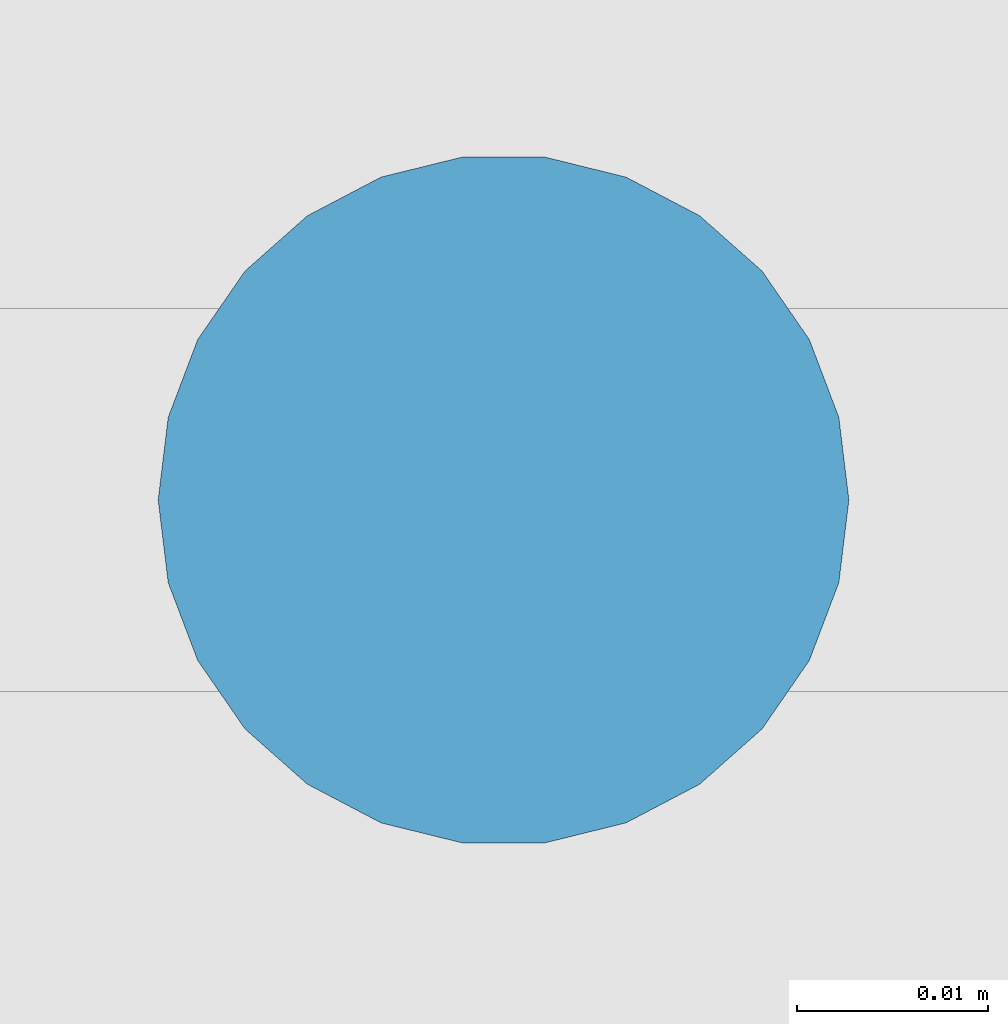
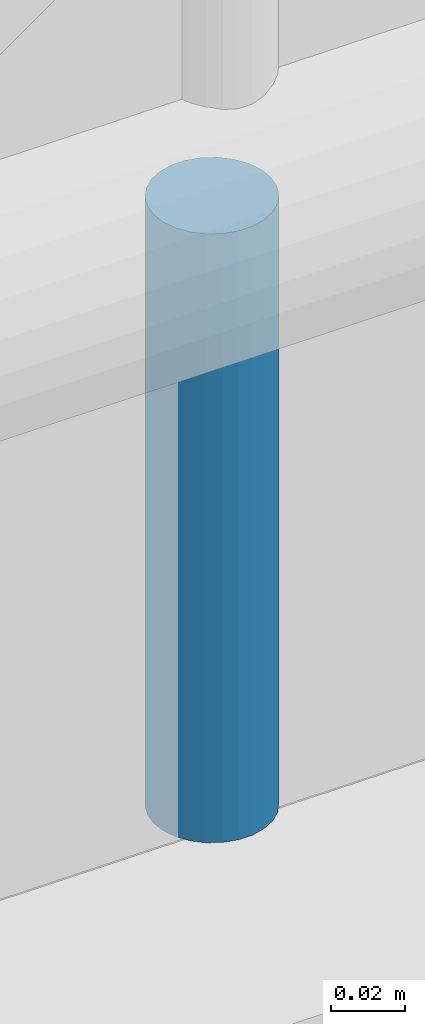
# One storey, part 242 of 321: 1 member.
"""IFC4 building model written with IfcOpenShell, lengths in metres."""

import ifcopenshell
import ifcopenshell.guid

model = None  # the IFC model being written
_history = None  # IfcOwnerHistory: only IFC2X3 demands one
_inside = {}  # id of a spatial element -> (the spatial element, [elements in it])
_under = {}  # id of a project, library or spatial element -> (it, [spatial elements below it])
_declared = {}  # id of a project -> (the project, [libraries it declares])
_typed = {}  # id of a type object -> (the type object, [elements of that type])
_made_of = {}  # id of a material, layer set ... -> (it, [elements and type objects made of it])


def new_model(schema):
    """Start an empty IFC model of exactly this schema.

    Asked for "IFC4X3", IfcOpenShell would pick the latest addendum, in which some entities
    have other attributes; the version numbers below select the first issue.
    IFC2X3 requires an IfcOwnerHistory on every rooted entity: one is made here for all.
    """
    global model, _history
    if schema == "IFC4X3":
        model = ifcopenshell.file(schema_version=(4, 3, 0, 0))
    else:
        model = ifcopenshell.file(schema=schema)
    _inside.clear()
    _under.clear()
    _declared.clear()
    _typed.clear()
    _made_of.clear()
    _history = None
    if model.schema == "IFC2X3":
        org = make("IfcOrganization", Name="unknown")
        user = make(
            "IfcPersonAndOrganization",
            ThePerson=make("IfcPerson", FamilyName="unknown"),
            TheOrganization=org,
        )
        app = make(
            "IfcApplication",
            ApplicationDeveloper=org,
            Version="unknown",
            ApplicationFullName="unknown",
            ApplicationIdentifier="unknown",
        )
        _history = make(
            "IfcOwnerHistory",
            OwningUser=user,
            OwningApplication=app,
            ChangeAction="ADDED",
            CreationDate=0,
        )
    return model


def make(cls, **values):
    """One entity of the class cls with the attributes given. An attribute that is None is left unset."""
    return model.create_entity(
        cls, **{name: value for name, value in values.items() if value is not None}
    )


def rooted(cls, **values):
    """An entity with a GlobalId (a new one), such as an element, a storey or a relation."""
    return make(cls, GlobalId=ifcopenshell.guid.new(), OwnerHistory=_history, **values)


def si_unit(unit_type, name, prefix=None):
    """IfcSIUnit, for example si_unit("LENGTHUNIT", "METRE", prefix="MILLI")."""
    return make("IfcSIUnit", UnitType=unit_type, Prefix=prefix, Name=name)


def assignment(units):
    """IfcUnitAssignment: the units of a project."""
    return None if units is None else make("IfcUnitAssignment", Units=units)


def point(xyz):
    """IfcCartesianPoint."""
    return None if xyz is None else make("IfcCartesianPoint", Coordinates=xyz)


def direction(xyz):
    """IfcDirection."""
    return None if xyz is None else make("IfcDirection", DirectionRatios=xyz)


def frame(location, z_axis=None, x_axis=None):
    """IfcAxis2Placement3D, a coordinate frame: its origin and axes. An axis left out is left unset."""
    return make(
        "IfcAxis2Placement3D",
        Location=point(location),
        Axis=direction(z_axis),
        RefDirection=direction(x_axis),
    )


def frame_2d(location, x_axis=None):
    """IfcAxis2Placement2D, a coordinate frame in the plane: its origin and x axis."""
    return make(
        "IfcAxis2Placement2D", Location=point(location), RefDirection=direction(x_axis)
    )


def origin():
    """The frame at (0, 0, 0) with its axes left unset."""
    return frame((0.0, 0.0, 0.0))


def origin_2d():
    """The frame at (0, 0) in the plane with its x axis left unset."""
    return frame_2d((0.0, 0.0))


def place(relative_to, where):
    """IfcLocalPlacement: puts the frame where relative to a parent placement (None: the world)."""
    return make(
        "IfcLocalPlacement", PlacementRelTo=relative_to, RelativePlacement=where
    )


def context(
    kind, dimensions, precision=None, world=None, true_north=None, identifier=None
):
    """IfcGeometricRepresentationContext, for example the 3D "Model" context."""
    return make(
        "IfcGeometricRepresentationContext",
        ContextIdentifier=identifier,
        ContextType=kind,
        CoordinateSpaceDimension=dimensions,
        Precision=precision,
        WorldCoordinateSystem=world,
        TrueNorth=true_north,
    )


def subcontext(parent, identifier, kind, view, scale=None):
    """IfcGeometricRepresentationSubContext, for example "Body" below "Model"."""
    return make(
        "IfcGeometricRepresentationSubContext",
        ContextIdentifier=identifier,
        ContextType=kind,
        ParentContext=parent,
        TargetScale=scale,
        TargetView=view,
    )


def project(units=None, contexts=None):
    """IfcProject with its units and contexts."""
    return rooted(
        "IfcProject",
        Name="project",
        RepresentationContexts=contexts,
        UnitsInContext=assignment(units),
    )


def spatial(cls, under=None, at=None, **own):
    """A site, building, storey or space (cls), placed at a placement, below another one or the project."""
    s = rooted(cls, ObjectPlacement=at, **own)
    if under is not None:
        _under.setdefault(under.id(), (under, []))[1].append(s)
    return s


def profile(cls, at=None, kind="AREA", **sizes):
    """A parametric profile (cls). Its sizes go by their IFC names, for example OverallWidth=200.0."""
    return make(cls, ProfileType=kind, Position=at, **sizes)


def circle(**sizes):
    """IfcCircleProfileDef."""
    return profile("IfcCircleProfileDef", **sizes)


def extrude(swept, where, along, depth):
    """IfcExtrudedAreaSolid: the profile swept, set in the frame where, extruded along a direction by depth."""
    return make(
        "IfcExtrudedAreaSolid",
        SweptArea=swept,
        Position=where,
        ExtrudedDirection=direction(along),
        Depth=depth,
    )


def shape(context_of_items, identifier, shape_type, items):
    """IfcShapeRepresentation: the items that make up one representation, for example the "Body"."""
    return make(
        "IfcShapeRepresentation",
        ContextOfItems=context_of_items,
        RepresentationIdentifier=identifier,
        RepresentationType=shape_type,
        Items=items,
    )


def material(Name=None, Category=None):
    """IfcMaterial."""
    return make("IfcMaterial", Name=Name, Category=Category)


def material_profile(
    of_material, cross_section, Name=None, Category=None, Priority=None
):
    """IfcMaterialProfile: a cross section and its material."""
    return make(
        "IfcMaterialProfile",
        Name=Name,
        Material=of_material,
        Profile=cross_section,
        Priority=Priority,
        Category=Category,
    )


def profile_set(profiles, Name=None, composite=None):
    """IfcMaterialProfileSet."""
    return make(
        "IfcMaterialProfileSet",
        Name=Name,
        MaterialProfiles=profiles,
        CompositeProfile=composite,
    )


def made_of(thing, what):
    """Note that an element or type object is made of a material, layer set ...; save() writes the relation."""
    if what is not None:
        _made_of.setdefault(what.id(), (what, []))[1].append(thing)
    return thing


def type_object(cls, material=None, **own):
    """A type object (cls), such as IfcWallType, which elements share."""
    return made_of(rooted(cls, **own), material)


def element(
    cls,
    number,
    at=None,
    inside=None,
    cuts=None,
    type_object=None,
    material=None,
    context=None,
    identifier="Body",
    shape_type=None,
    held_by="IfcProductDefinitionShape",
    body=None,
    shapes=None,
    **own,
):
    """One element of the class cls, such as IfcWall. Its Tag is "e" and its number.

    at: its placement. inside: the storey or other place that contains it. cuts: it is an
    opening in that element (IfcRelVoidsElement). A single representation is given by context,
    identifier, shape_type and body (its items); several are given by shapes. held_by: the class
    of the entity that holds the representations. save() writes the other relations.
    """
    e = rooted(cls, Tag="e%d" % number, ObjectPlacement=at, **own)
    if body is not None:
        shapes = [shape(context, identifier, shape_type, body)]
    if shapes is not None:
        e.Representation = make(held_by, Representations=shapes)
    if inside is not None:
        _inside.setdefault(inside.id(), (inside, []))[1].append(e)
    if cuts is not None:
        rooted(
            "IfcRelVoidsElement", RelatingBuildingElement=cuts, RelatedOpeningElement=e
        )
    if type_object is not None:
        _typed.setdefault(type_object.id(), (type_object, []))[1].append(e)
    return made_of(e, material)


def aggregate(whole, parts):
    """IfcRelAggregates: a whole, such as a stair, and the parts it consists of."""
    return rooted("IfcRelAggregates", RelatingObject=whole, RelatedObjects=parts)


def save(model, path):
    """Write the relations noted so far, then the file.

    IfcRelAggregates (storeys below a building ...), IfcRelContainedInSpatialStructure (elements
    in a storey), IfcRelDefinesByType, IfcRelAssociatesMaterial and IfcRelDeclares: one each for
    every whole, place, type object, material and project.
    """
    for whole, parts in _under.values():
        aggregate(whole, parts)
    for where, things in _inside.values():
        rooted(
            "IfcRelContainedInSpatialStructure",
            RelatedElements=things,
            RelatingStructure=where,
        )
    for kind, things in _typed.values():
        rooted("IfcRelDefinesByType", RelatedObjects=things, RelatingType=kind)
    for what, things in _made_of.values():
        rooted("IfcRelAssociatesMaterial", RelatedObjects=things, RelatingMaterial=what)
    for by, libraries in _declared.values():
        rooted("IfcRelDeclares", RelatingContext=by, RelatedDefinitions=libraries)
    model.write(path)


model = new_model("IFC4")

# Units and contexts
model_context = context("Model", 3, precision=1e-05, world=origin(), true_north=direction((0.0, 1.0)))
body_context = subcontext(model_context, "Body", "Model", "MODEL_VIEW")
ifc_project = project(units=[si_unit("LENGTHUNIT", "METRE"), si_unit("AREAUNIT", "SQUARE_METRE"), si_unit("VOLUMEUNIT", "CUBIC_METRE"), si_unit("PLANEANGLEUNIT", "RADIAN"), si_unit("MASSUNIT", "GRAM", prefix="KILO")], contexts=[model_context])

# Site, building, storey
site_placement = place(None, origin())
site = spatial("IfcSite", under=ifc_project, at=site_placement, CompositionType="ELEMENT")
building_placement = place(site_placement, origin())
building = spatial("IfcBuilding", under=site, at=building_placement, Name="Ravi Spectrum Wholesale Market", CompositionType="ELEMENT")
storey_placement = place(building_placement, frame((0.0, 0.0, 10.800048828125)))
storey = spatial("IfcBuildingStorey", under=building, at=storey_placement, Name="L02", CompositionType="ELEMENT", Elevation=10.800048828125)

# Member
ifc_material = material(Name="Steel S355", Category="steel")
ifc_material_profile = material_profile(ifc_material, circle(Radius=0.01806640625, at=origin_2d()))
ifc_profile_set = profile_set([ifc_material_profile], Name="Steel S355")
member_type = type_object("IfcMemberType", Name="ROD 36 hanger", PredefinedType="STRUT", material=ifc_profile_set)
member_placement = place(storey_placement, frame((70.0, 198.0, 0.0), z_axis=(0.0, 0.0, -1.0), x_axis=(1.0, 0.0, 0.0)))
element("IfcMember", 1, at=member_placement, inside=storey, type_object=member_type, Name="H1-MB-L02-1735", PredefinedType="STRUT", context=body_context, shape_type="SweptSolid", body=[
    extrude(circle(Radius=0.01806640625, at=origin_2d()), origin(), (0.0, 0.0, 1.0), 0.199951171875),
])

save(model, "model.ifc")
